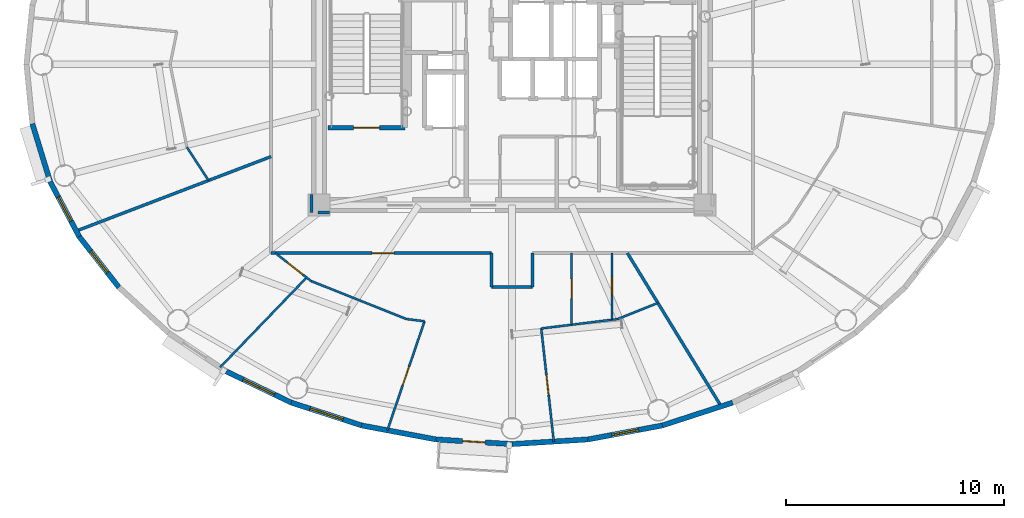
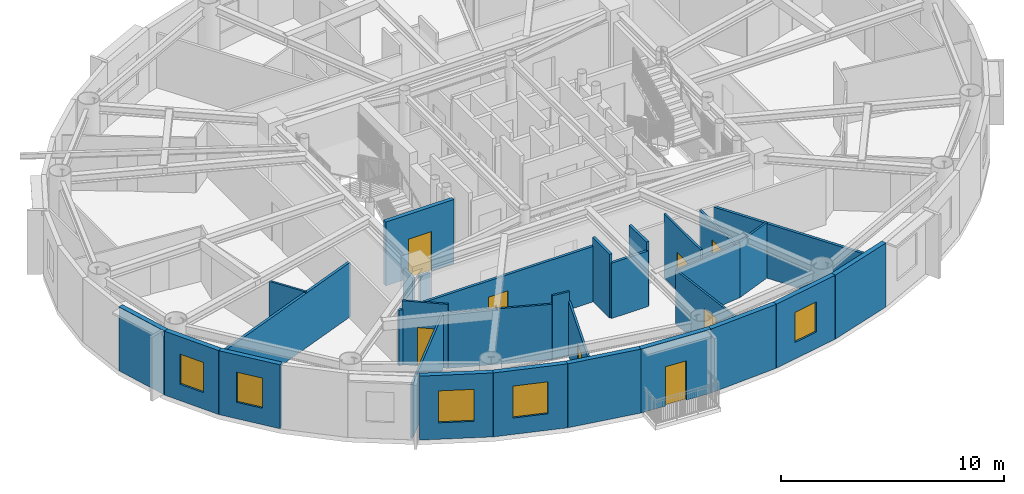
# One storey, part 7 of 20: 30 walls, 8 doors, 5 windows, 13 openings.
"""IFC4 building model written with IfcOpenShell, lengths in metres."""

from ifc_helpers import new_model, si_unit, direction, frame, frame_2d, origin, origin_2d, place, context, subcontext, project, spatial, rectangle, extrude, source, transform, mapped, material, layer, layer_set, type_object, element, fill, save


model = new_model("IFC4")

# Units and contexts
model_context = context("Model", 3, precision=1e-05, world=origin(), true_north=direction((0.0, 1.0)))
body_context = subcontext(model_context, "Body", "Model", "MODEL_VIEW")
ifc_project = project(units=[si_unit("LENGTHUNIT", "METRE"), si_unit("AREAUNIT", "SQUARE_METRE"), si_unit("VOLUMEUNIT", "CUBIC_METRE"), si_unit("PLANEANGLEUNIT", "RADIAN"), si_unit("MASSUNIT", "GRAM", prefix="KILO")], contexts=[model_context])

# Site, building, storey
site_placement = place(None, origin())
site = spatial("IfcSite", under=ifc_project, at=site_placement, CompositionType="ELEMENT")
building_placement = place(site_placement, origin())
building = spatial("IfcBuilding", under=site, at=building_placement, Name="Linh Dai School and Residence Tower", CompositionType="ELEMENT")
storey_placement = place(building_placement, frame((0.0, 0.0, 288.0)))
storey = spatial("IfcBuildingStorey", under=building, at=storey_placement, Name="L71", CompositionType="ELEMENT", Elevation=288.0)

# Wall
ifc_material_1 = material(Name="Precast Concrete B45 (C35/45)", Category="concrete")
ifc_layer_1 = layer(ifc_material_1, 0.239990234375)
ifc_layer_set_1 = layer_set([ifc_layer_1], Name="Precast Concrete B45 (C35/45)")
wall_type_1 = type_object("IfcWallType", Name="EW-TC-240", PredefinedType="SOLIDWALL", material=ifc_layer_set_1)
wall_1_placement = place(storey_placement, frame((14.811767578125, 21.627685546875, 0.0), z_axis=(0.0, 0.0, 1.0), x_axis=(-0.2931213403, 0.956075248012, 0.0)))
element("IfcWall", 1, at=wall_1_placement, inside=storey, type_object=wall_type_1, Name="L71 Terracotta Exterior Wall 22", PredefinedType="SOLIDWALL", context=body_context, shape_type="SweptSolid", body=[
    extrude(rectangle(XDim=2.775146484375, YDim=0.239990234375, at=frame_2d((1.3876953125, 0.0))), origin(), (0.0, 0.0, 1.0), 3.5),
])

# Wall, opening, window
wall_2_placement = place(storey_placement, frame((16.146240234375, 19.105224609375, 0.0), z_axis=(0.0, 0.0, 1.0), x_axis=(-0.467628269026, 0.883925224218, 0.0)))
wall_2 = element("IfcWall", 2, at=wall_2_placement, inside=storey, type_object=wall_type_1, Name="L71 Terracotta Exterior Wall 23", PredefinedType="SOLIDWALL", context=body_context, shape_type="SweptSolid", body=[
    extrude(rectangle(XDim=2.853759765625, YDim=0.239990234375, at=frame_2d((1.4267578125, 0.0))), origin(), (0.0, 0.0, 1.0), 3.5),
])
opening_1_placement = place(wall_2_placement, frame((0.802001953125, 0.0, 0.89990234375)))
opening_1 = element("IfcOpeningElement", 3, at=opening_1_placement, cuts=wall_2, Name="Opening W3", PredefinedType="OPENING", context=body_context, shape_type="SweptSolid", body=[
    extrude(rectangle(XDim=1.25, YDim=1.64990234375, at=origin_2d()), frame((0.625, 0.1298828125, 0.824951171875), z_axis=(0.0, -1.0, 0.0), x_axis=(1.0, 0.0, 0.0)), (0.0, 0.0, 1.0), 0.260009765625),
])
ifc_material_2 = material(Name="Double Low-E Insulated Glazing", Category="glass")
window_type_1 = type_object("IfcWindowType", Name="WN-RES-1250x1650", PartitioningType="SINGLE_PANEL", PredefinedType="WINDOW", material=ifc_material_2)
shared_shape_1 = source(origin(), body_context, "Body", "SweptSolid", [
    extrude(rectangle(XDim=1.25, YDim=1.64990234375, at=origin_2d()), frame((0.625, 0.030029296875, 0.824951171875), z_axis=(0.0, -1.0, 0.0), x_axis=(1.0, 0.0, 0.0)), (0.0, 0.0, 1.0), 0.06005859375),
])
window_1_placement = place(opening_1_placement, origin())
window_1 = element("IfcWindow", 4, at=window_1_placement, inside=storey, type_object=window_type_1, Name="L71 Dwelling Window U7102-BD2", OverallHeight=1.64990234375, OverallWidth=1.25, PartitioningType="SINGLE_PANEL", PredefinedType="WINDOW", context=body_context, shape_type="MappedRepresentation", body=[
    mapped(shared_shape_1, transform((0.0, 0.0, 0.0), x_axis=(1.0, 0.0, 0.0), y_axis=(0.0, 1.0, 0.0), z_axis=(0.0, 0.0, 1.0), scale=1.0)),
])
fill(opening_1, window_1)

wall_3_placement = place(storey_placement, frame((17.9697265625, 16.775390625, 0.0), z_axis=(0.0, 0.0, 1.0), x_axis=(-0.616337186556, 0.787482363275, 0.0)))
wall_3 = element("IfcWall", 5, at=wall_3_placement, inside=storey, type_object=wall_type_1, Name="L71 Terracotta Exterior Wall 24", PredefinedType="SOLIDWALL", context=body_context, shape_type="SweptSolid", body=[
    extrude(rectangle(XDim=2.95849609375, YDim=0.239990234375, at=frame_2d((1.479248046875, 0.0))), origin(), (0.0, 0.0, 1.0), 3.5),
])
opening_2_placement = place(wall_3_placement, frame((0.85400390625, 0.0, 0.89990234375)))
opening_2 = element("IfcOpeningElement", 6, at=opening_2_placement, cuts=wall_3, Name="Opening W3", PredefinedType="OPENING", context=body_context, shape_type="SweptSolid", body=[
    extrude(rectangle(XDim=1.25, YDim=1.64990234375, at=origin_2d()), frame((0.625, 0.1298828125, 0.824951171875), z_axis=(0.0, -1.0, 0.0), x_axis=(1.0, 0.0, 0.0)), (0.0, 0.0, 1.0), 0.260009765625),
])
window_2_placement = place(opening_2_placement, origin())
window_2 = element("IfcWindow", 7, at=window_2_placement, inside=storey, type_object=window_type_1, Name="L71 Exterior Window 24.1", OverallHeight=1.64990234375, OverallWidth=1.25, PartitioningType="SINGLE_PANEL", PredefinedType="WINDOW", context=body_context, shape_type="MappedRepresentation", body=[
    mapped(shared_shape_1, transform((0.0, 0.0, 0.0), x_axis=(1.0, 0.0, 0.0), y_axis=(0.0, 1.0, 0.0), z_axis=(0.0, 0.0, 1.0), scale=1.0)),
])
fill(opening_2, window_2)

wall_4_placement = place(storey_placement, frame((25.876953125, 11.48779296875, 0.0), z_axis=(0.0, 0.0, 1.0), x_axis=(-0.901573741254, 0.43262546051, 0.0)))
wall_4 = element("IfcWall", 8, at=wall_4_placement, inside=storey, type_object=wall_type_1, Name="L71 Terracotta Exterior Wall 27", PredefinedType="SOLIDWALL", context=body_context, shape_type="SweptSolid", body=[
    extrude(rectangle(XDim=3.306884765625, YDim=0.239990234375, at=frame_2d((1.6533203125, 0.0))), origin(), (0.0, 0.0, 1.0), 3.5),
])
opening_3_placement = place(wall_4_placement, frame((0.853271484375, 0.0, 0.89990234375)))
opening_3 = element("IfcOpeningElement", 9, at=opening_3_placement, cuts=wall_4, Name="Opening W2", PredefinedType="OPENING", context=body_context, shape_type="SweptSolid", body=[
    extrude(rectangle(XDim=1.60009765625, YDim=1.75, at=origin_2d()), frame((0.800048828125, 0.1298828125, 0.875), z_axis=(0.0, -1.0, 0.0), x_axis=(1.0, 0.0, 0.0)), (0.0, 0.0, 1.0), 0.260009765625),
])
window_type_2 = type_object("IfcWindowType", Name="WN-RES-1600x1750", PartitioningType="DOUBLE_PANEL_VERTICAL", PredefinedType="WINDOW", material=ifc_material_2)
shared_shape_2 = source(origin(), body_context, "Body", "SweptSolid", [
    extrude(rectangle(XDim=1.60009765625, YDim=1.75, at=origin_2d()), frame((0.800048828125, 0.030029296875, 0.875), z_axis=(0.0, -1.0, 0.0), x_axis=(1.0, 0.0, 0.0)), (0.0, 0.0, 1.0), 0.06005859375),
])
window_3_placement = place(opening_3_placement, origin())
window_3 = element("IfcWindow", 10, at=window_3_placement, inside=storey, type_object=window_type_2, Name="L71 Exterior Window 27.1", OverallHeight=1.75, OverallWidth=1.60009765625, PartitioningType="DOUBLE_PANEL_VERTICAL", PredefinedType="WINDOW", context=body_context, shape_type="MappedRepresentation", body=[
    mapped(shared_shape_2, transform((0.0, 0.0, 0.0), x_axis=(1.0, 0.0, 0.0), y_axis=(0.0, 1.0, 0.0), z_axis=(0.0, 0.0, 1.0), scale=1.0)),
])
fill(opening_3, window_3)

wall_5_placement = place(storey_placement, frame((29.10888671875, 10.439697265625, 0.0), z_axis=(0.0, 0.0, 1.0), x_axis=(-0.95123136723, 0.308478339592, 0.0)))
wall_5 = element("IfcWall", 11, at=wall_5_placement, inside=storey, type_object=wall_type_1, Name="L71 Terracotta Exterior Wall 28", PredefinedType="SOLIDWALL", context=body_context, shape_type="SweptSolid", body=[
    extrude(rectangle(XDim=3.397705078125, YDim=0.239990234375, at=frame_2d((1.69873046875, 0.0))), origin(), (0.0, 0.0, 1.0), 3.5),
])
opening_4_placement = place(wall_5_placement, frame((0.898681640625, 0.0, 0.89990234375)))
opening_4 = element("IfcOpeningElement", 12, at=opening_4_placement, cuts=wall_5, Name="Opening W2", PredefinedType="OPENING", context=body_context, shape_type="SweptSolid", body=[
    extrude(rectangle(XDim=1.60009765625, YDim=1.75, at=origin_2d()), frame((0.800048828125, 0.1298828125, 0.875), z_axis=(0.0, -1.0, 0.0), x_axis=(1.0, 0.0, 0.0)), (0.0, 0.0, 1.0), 0.260009765625),
])
window_4_placement = place(opening_4_placement, origin())
window_4 = element("IfcWindow", 13, at=window_4_placement, inside=storey, type_object=window_type_2, Name="L71 Exterior Window 28.1", OverallHeight=1.75, OverallWidth=1.60009765625, PartitioningType="DOUBLE_PANEL_VERTICAL", PredefinedType="WINDOW", context=body_context, shape_type="MappedRepresentation", body=[
    mapped(shared_shape_2, transform((0.0, 0.0, 0.0), x_axis=(1.0, 0.0, 0.0), y_axis=(0.0, 1.0, 0.0), z_axis=(0.0, 0.0, 1.0), scale=1.0)),
])
fill(opening_4, window_4)

# Wall
wall_6_placement = place(storey_placement, frame((32.51123046875, 9.800048828125, 0.0), z_axis=(0.0, 0.0, 1.0), x_axis=(-0.982782655757, 0.184765395959, 0.0)))
element("IfcWall", 14, at=wall_6_placement, inside=storey, type_object=wall_type_1, Name="L71 Terracotta Exterior Wall 29", PredefinedType="SOLIDWALL", context=body_context, shape_type="SweptSolid", body=[
    extrude(rectangle(XDim=3.4619140625, YDim=0.239990234375, at=frame_2d((1.73095703125, 0.0))), origin(), (0.0, 0.0, 1.0), 3.5),
])

# Wall, opening, door
wall_7_placement = place(storey_placement, frame((36.0, 9.5849609375, 0.0), z_axis=(0.0, 0.0, 1.0), x_axis=(-0.998104946479, 0.061534671648, 0.0)))
wall_7 = element("IfcWall", 15, at=wall_7_placement, inside=storey, type_object=wall_type_1, Name="L71 Terracotta Exterior Wall 30", PredefinedType="SOLIDWALL", context=body_context, shape_type="SweptSolid", body=[
    extrude(rectangle(XDim=3.495361328125, YDim=0.239990234375, at=frame_2d((1.74755859375, 0.0))), origin(), (0.0, 0.0, 1.0), 3.5),
])
opening_5_placement = place(wall_7_placement, frame((1.22265625, 0.0, 0.0)))
opening_5 = element("IfcOpeningElement", 16, at=opening_5_placement, cuts=wall_7, Name="Opening BD1", PredefinedType="OPENING", context=body_context, shape_type="SweptSolid", body=[
    extrude(rectangle(XDim=1.050048828125, YDim=2.14990234375, at=origin_2d()), frame((0.52490234375, 0.1298828125, 1.074951171875), z_axis=(0.0, -1.0, 0.0), x_axis=(1.0, 0.0, 0.0)), (0.0, 0.0, 1.0), 0.260009765625),
])
ifc_material_3 = material(Name="Double-Glazed Balcony Door", Category="glass")
door_type_1 = type_object("IfcDoorType", Name="DR-BALC-1050x2150", OperationType="NOTDEFINED", PredefinedType="DOOR", material=ifc_material_3)
shared_shape_3 = source(origin(), body_context, "Body", "SweptSolid", [
    extrude(rectangle(XDim=1.050048828125, YDim=2.14990234375, at=origin_2d()), frame((0.52490234375, 0.02490234375, 1.074951171875), z_axis=(0.0, -1.0, 0.0), x_axis=(1.0, 0.0, 0.0)), (0.0, 0.0, 1.0), 0.050048828125),
])
door_1_placement = place(opening_5_placement, origin())
door_1 = element("IfcDoor", 17, at=door_1_placement, inside=storey, type_object=door_type_1, Name="L71 Glazed Balcony Door 30", OperationType="SINGLE_SWING_RIGHT", OverallHeight=2.14990234375, OverallWidth=1.050048828125, PredefinedType="DOOR", context=body_context, shape_type="MappedRepresentation", body=[
    mapped(shared_shape_3, transform((0.0, 0.0, 0.0), x_axis=(1.0, 0.0, 0.0), y_axis=(0.0, 1.0, 0.0), z_axis=(0.0, 0.0, 1.0), scale=1.0)),
])
fill(opening_5, door_1)

# Wall
wall_8_placement = place(storey_placement, frame((39.48876953125, 9.800048828125, 0.0), z_axis=(0.0, 0.0, 1.0), x_axis=(-0.998104946479, -0.061534671648, 0.0)))
element("IfcWall", 18, at=wall_8_placement, inside=storey, type_object=wall_type_1, Name="L71 Terracotta Exterior Wall 31", PredefinedType="SOLIDWALL", context=body_context, shape_type="SweptSolid", body=[
    extrude(rectangle(XDim=3.495361328125, YDim=0.239990234375, at=frame_2d((1.74755859375, 0.0))), origin(), (0.0, 0.0, 1.0), 3.5),
])

# Wall, opening, window
wall_9_placement = place(storey_placement, frame((42.89111328125, 10.439697265625, 0.0), z_axis=(0.0, 0.0, 1.0), x_axis=(-0.982782655757, -0.184765395959, 0.0)))
wall_9 = element("IfcWall", 19, at=wall_9_placement, inside=storey, type_object=wall_type_1, Name="L71 Terracotta Exterior Wall 32", PredefinedType="SOLIDWALL", context=body_context, shape_type="SweptSolid", body=[
    extrude(rectangle(XDim=3.4619140625, YDim=0.239990234375, at=frame_2d((1.73095703125, 0.0))), origin(), (0.0, 0.0, 1.0), 3.5),
])
opening_6_placement = place(wall_9_placement, frame((1.10595703125, 0.0, 0.89990234375)))
opening_6 = element("IfcOpeningElement", 20, at=opening_6_placement, cuts=wall_9, Name="Opening W3", PredefinedType="OPENING", context=body_context, shape_type="SweptSolid", body=[
    extrude(rectangle(XDim=1.25, YDim=1.64990234375, at=origin_2d()), frame((0.625, 0.1298828125, 0.824951171875), z_axis=(0.0, -1.0, 0.0), x_axis=(1.0, 0.0, 0.0)), (0.0, 0.0, 1.0), 0.260009765625),
])
window_5_placement = place(opening_6_placement, origin())
window_5 = element("IfcWindow", 21, at=window_5_placement, inside=storey, type_object=window_type_1, Name="L71 Dwelling Window U7103-BD3", OverallHeight=1.64990234375, OverallWidth=1.25, PartitioningType="SINGLE_PANEL", PredefinedType="WINDOW", context=body_context, shape_type="MappedRepresentation", body=[
    mapped(shared_shape_1, transform((0.0, 0.0, 0.0), x_axis=(1.0, 0.0, 0.0), y_axis=(0.0, 1.0, 0.0), z_axis=(0.0, 0.0, 1.0), scale=1.0)),
])
fill(opening_6, window_5)

# Walls
wall_10_placement = place(storey_placement, frame((46.123046875, 11.48779296875, 0.0), z_axis=(0.0, 0.0, 1.0), x_axis=(-0.95123136723, -0.308478339592, 0.0)))
element("IfcWall", 22, at=wall_10_placement, inside=storey, type_object=wall_type_1, Name="L71 Terracotta Exterior Wall 33", PredefinedType="SOLIDWALL", context=body_context, shape_type="SweptSolid", body=[
    extrude(rectangle(XDim=3.397705078125, YDim=0.239990234375, at=frame_2d((1.69873046875, 0.0))), origin(), (0.0, 0.0, 1.0), 3.5),
])
ifc_material_4 = material(Name="Autoclaved Aerated Concrete Blockwork", Category="masonry")
ifc_layer_2 = layer(ifc_material_4, 0.135009765625)
ifc_layer_set_2 = layer_set([ifc_layer_2], Name="Autoclaved Aerated Concrete Blockwork")
wall_type_2 = type_object("IfcWallType", Name="IW-CORR-135-EI90", PredefinedType="PARTITIONING", material=ifc_layer_set_2)
wall_11_placement = place(storey_placement, frame((16.0068359375, 19.35791015625, 0.0), z_axis=(0.0, 0.0, 1.0), x_axis=(0.934094110355, 0.35702687994, 0.0)))
element("IfcWall", 23, at=wall_11_placement, inside=storey, type_object=wall_type_2, Name="L71 Interior Partition Wall 003", PredefinedType="PARTITIONING", context=body_context, shape_type="SweptSolid", body=[
    extrude(rectangle(XDim=9.57421875, YDim=0.135009765625, at=frame_2d((4.787109375, 0.0))), origin(), (0.0, 0.0, 1.0), 2.985107421875),
])

# Wall, opening, door
wall_12_placement = place(storey_placement, frame((24.949951171875, 18.35009765625, 0.0), z_axis=(0.0, 0.0, 1.0), x_axis=(1.0, 0.0, 0.0)))
wall_12 = element("IfcWall", 24, at=wall_12_placement, inside=storey, type_object=wall_type_2, Name="L71 Interior Partition Wall 012", PredefinedType="PARTITIONING", context=body_context, shape_type="SweptSolid", body=[
    extrude(rectangle(XDim=10.10009765625, YDim=0.135009765625, at=frame_2d((5.050048828125, 0.0))), origin(), (0.0, 0.0, 1.0), 3.034912109375),
])
opening_7_placement = place(wall_12_placement, frame((4.62744140625, 0.0, 0.0)))
opening_7 = element("IfcOpeningElement", 25, at=opening_7_placement, cuts=wall_12, Name="Opening D03", PredefinedType="OPENING", context=body_context, shape_type="SweptSolid", body=[
    extrude(rectangle(XDim=1.0, YDim=2.14990234375, at=origin_2d()), frame((0.5, 0.07763671875, 1.074951171875), z_axis=(0.0, -1.0, 0.0), x_axis=(1.0, 0.0, 0.0)), (0.0, 0.0, 1.0), 0.155029296875),
])
ifc_material_5 = material(Name="Fire-Rated Solid Timber Entrance Door", Category="wood")
door_type_2 = type_object("IfcDoorType", Name="DR-FLAT-1000x2150-FD60S", OperationType="NOTDEFINED", PredefinedType="DOOR", material=ifc_material_5)
shared_shape_4 = source(origin(), body_context, "Body", "SweptSolid", [
    extrude(rectangle(XDim=1.0, YDim=2.14990234375, at=origin_2d()), frame((0.5, 0.02490234375, 1.074951171875), z_axis=(0.0, -1.0, 0.0), x_axis=(1.0, 0.0, 0.0)), (0.0, 0.0, 1.0), 0.050048828125),
])
door_2_placement = place(opening_7_placement, origin())
door_2 = element("IfcDoor", 26, at=door_2_placement, inside=storey, type_object=door_type_2, Name="L71 U7103 Apartment Entrance Door", OperationType="SINGLE_SWING_LEFT", OverallHeight=2.14990234375, OverallWidth=1.0, PredefinedType="DOOR", context=body_context, shape_type="MappedRepresentation", body=[
    mapped(shared_shape_4, transform((0.0, 0.0, 0.0), x_axis=(1.0, 0.0, 0.0), y_axis=(0.0, 1.0, 0.0), z_axis=(0.0, 0.0, 1.0), scale=1.0)),
])
fill(opening_7, door_2)

# Walls
wall_13_placement = place(storey_placement, frame((35.050048828125, 16.800048828125, 0.0), z_axis=(0.0, 0.0, 1.0), x_axis=(0.0, 1.0, 0.0)))
element("IfcWall", 27, at=wall_13_placement, inside=storey, type_object=wall_type_2, Name="L71 Interior Partition Wall 033", PredefinedType="PARTITIONING", context=body_context, shape_type="SweptSolid", body=[
    extrude(rectangle(XDim=1.550048828125, YDim=0.135009765625, at=frame_2d((0.77490234375, 0.0))), origin(), (0.0, 0.0, 1.0), 3.5),
])
wall_14_placement = place(storey_placement, frame((35.050048828125, 16.800048828125, 0.0), z_axis=(0.0, 0.0, 1.0), x_axis=(1.0, 0.0, 0.0)))
element("IfcWall", 28, at=wall_14_placement, inside=storey, type_object=wall_type_2, Name="L71 Interior Partition Wall 034", PredefinedType="PARTITIONING", context=body_context, shape_type="SweptSolid", body=[
    extrude(rectangle(XDim=1.89990234375, YDim=0.135009765625, at=frame_2d((0.949951171875, 0.0))), origin(), (0.0, 0.0, 1.0), 3.034912109375),
])
wall_15_placement = place(storey_placement, frame((36.949951171875, 16.800048828125, 0.0), z_axis=(0.0, 0.0, 1.0), x_axis=(0.0, 1.0, 0.0)))
element("IfcWall", 29, at=wall_15_placement, inside=storey, type_object=wall_type_2, Name="L71 Interior Partition Wall 050", PredefinedType="PARTITIONING", context=body_context, shape_type="SweptSolid", body=[
    extrude(rectangle(XDim=1.550048828125, YDim=0.135009765625, at=frame_2d((0.77490234375, 0.0))), origin(), (0.0, 0.0, 1.0), 3.5),
])
wall_16_placement = place(storey_placement, frame((41.292236328125, 18.35009765625, 0.0), z_axis=(0.0, 0.0, 1.0), x_axis=(0.521891606098, -0.853011812043, 0.0)))
element("IfcWall", 30, at=wall_16_placement, inside=storey, type_object=wall_type_2, Name="L71 Interior Partition Wall 073", PredefinedType="PARTITIONING", context=body_context, shape_type="SweptSolid", body=[
    extrude(rectangle(XDim=8.25048828125, YDim=0.135009765625, at=frame_2d((4.125244140625, 0.0))), origin(), (0.0, 0.0, 1.0), 2.985107421875),
])
wall_17_placement = place(storey_placement, frame((26.800048828125, 21.0400390625, 0.0), z_axis=(0.0, 0.0, 1.0), x_axis=(0.0, -1.0, 0.0)))
element("IfcWall", 31, at=wall_17_placement, inside=storey, type_object=wall_type_2, Name="L71 Interior Partition Wall 092", PredefinedType="PARTITIONING", context=body_context, shape_type="SweptSolid", body=[
    extrude(rectangle(XDim=0.840087890625, YDim=0.135009765625, at=frame_2d((0.419921875, 0.0))), origin(), (0.0, 0.0, 1.0), 3.034912109375),
])
wall_18_placement = place(storey_placement, frame((27.107421875, 20.199951171875, 0.0), z_axis=(0.0, 0.0, 1.0), x_axis=(1.0, 0.0, 0.0)))
element("IfcWall", 32, at=wall_18_placement, inside=storey, type_object=wall_type_2, Name="L71 Interior Partition Wall 093", PredefinedType="PARTITIONING", context=body_context, shape_type="SweptSolid", body=[
    extrude(rectangle(XDim=0.532470703125, YDim=0.135009765625, at=frame_2d((0.26611328125, 0.0))), origin(), (0.0, 0.0, 1.0), 3.034912109375),
])

# Wall, opening, door
ifc_material_6 = material(Name="Concrete B45 (C35/45)", Category="concrete")
ifc_layer_3 = layer(ifc_material_6, 0.199951171875)
ifc_layer_set_3 = layer_set([ifc_layer_3], Name="Concrete B45 (C35/45)")
wall_type_3 = type_object("IfcWallType", Name="IW-SHAFT-200-EI120", PredefinedType="PARTITIONING", material=ifc_layer_set_3)
wall_19_placement = place(storey_placement, frame((27.56005859375, 24.10009765625, 0.0), z_axis=(0.0, 0.0, 1.0), x_axis=(1.0, 0.0, 0.0)))
wall_19 = element("IfcWall", 33, at=wall_19_placement, inside=storey, type_object=wall_type_3, Name="L71 Interior Partition Wall 017", PredefinedType="PARTITIONING", context=body_context, shape_type="SweptSolid", body=[
    extrude(rectangle(XDim=3.5400390625, YDim=0.199951171875, at=frame_2d((1.77001953125, 0.0))), origin(), (0.0, 0.0, 1.0), 3.5),
])
opening_8_placement = place(wall_19_placement, frame((1.169921875, 0.0, 0.0)))
opening_8 = element("IfcOpeningElement", 34, at=opening_8_placement, cuts=wall_19, Name="Opening D01", PredefinedType="OPENING", context=body_context, shape_type="SweptSolid", body=[
    extrude(rectangle(XDim=1.199951171875, YDim=2.14990234375, at=origin_2d()), frame((0.60009765625, 0.10986328125, 1.074951171875), z_axis=(0.0, -1.0, 0.0), x_axis=(1.0, 0.0, 0.0)), (0.0, 0.0, 1.0), 0.219970703125),
])
ifc_material_7 = material(Name="Fire-Rated Steel Door Leaf", Category="steel")
door_type_3 = type_object("IfcDoorType", Name="DR-STAIR-1200x2150-FD90S", OperationType="NOTDEFINED", PredefinedType="DOOR", material=ifc_material_7)
shared_shape_5 = source(origin(), body_context, "Body", "SweptSolid", [
    extrude(rectangle(XDim=1.199951171875, YDim=2.14990234375, at=origin_2d()), frame((0.60009765625, 0.02490234375, 1.074951171875), z_axis=(0.0, -1.0, 0.0), x_axis=(1.0, 0.0, 0.0)), (0.0, 0.0, 1.0), 0.050048828125),
])
door_3_placement = place(opening_8_placement, origin())
door_3 = element("IfcDoor", 35, at=door_3_placement, inside=storey, type_object=door_type_3, Name="L71 Core Smokeproof Exit Stair ST1 Door", OperationType="SINGLE_SWING_LEFT", OverallHeight=2.14990234375, OverallWidth=1.199951171875, PredefinedType="DOOR", context=body_context, shape_type="MappedRepresentation", body=[
    mapped(shared_shape_5, transform((0.0, 0.0, 0.0), x_axis=(1.0, 0.0, 0.0), y_axis=(0.0, 1.0, 0.0), z_axis=(0.0, 0.0, 1.0), scale=1.0)),
])
fill(opening_8, door_3)

# Walls
ifc_material_8 = material(Name="Gypsum Plasterboard Acoustic Stud Partition", Category="masonry")
ifc_layer_4 = layer(ifc_material_8, 0.10009765625)
ifc_layer_set_4 = layer_set([ifc_layer_4], Name="Gypsum Plasterboard Acoustic Stud Partition")
wall_type_4 = type_object("IfcWallType", Name="IW-UNIT-100", PredefinedType="PARTITIONING", material=ifc_layer_set_4)
wall_20_placement = place(storey_placement, frame((21.08740234375, 23.205810546875, 0.0), z_axis=(0.0, 0.0, 1.0), x_axis=(0.545384128846, -0.838186227519, 0.0)))
element("IfcWall", 36, at=wall_20_placement, inside=storey, type_object=wall_type_4, Name="L71 Interior Partition Wall 008", PredefinedType="PARTITIONING", context=body_context, shape_type="SweptSolid", body=[
    extrude(rectangle(XDim=1.821044921875, YDim=0.10009765625, at=frame_2d((0.91064453125, 0.0))), origin(), (0.0, 0.0, 1.0), 3.034912109375),
])
wall_21_placement = place(storey_placement, frame((22.607177734375, 13.105224609375, 0.0), z_axis=(0.0, 0.0, 1.0), x_axis=(0.693978480191, 0.71999574237, 0.0)))
element("IfcWall", 37, at=wall_21_placement, inside=storey, type_object=wall_type_4, Name="L71 Interior Partition Wall 009", PredefinedType="PARTITIONING", context=body_context, shape_type="SweptSolid", body=[
    extrude(rectangle(XDim=5.72412109375, YDim=0.10009765625, at=frame_2d((2.862060546875, 0.0))), origin(), (0.0, 0.0, 1.0), 2.985107421875),
])

# Wall, opening, door
wall_22_placement = place(storey_placement, frame((25.144775390625, 18.35009765625, 0.0), z_axis=(0.0, 0.0, 1.0), x_axis=(0.787326747019, -0.616535962803, 0.0)))
wall_22 = element("IfcWall", 38, at=wall_22_placement, inside=storey, type_object=wall_type_4, Name="L71 Interior Partition Wall 014", PredefinedType="PARTITIONING", context=body_context, shape_type="SweptSolid", body=[
    extrude(rectangle(XDim=2.081298828125, YDim=0.10009765625, at=frame_2d((1.04052734375, 0.0))), origin(), (0.0, 0.0, 1.0), 3.5),
])
opening_9_placement = place(wall_22_placement, frame((0.69775390625, 0.0, 0.0)))
opening_9 = element("IfcOpeningElement", 39, at=opening_9_placement, cuts=wall_22, Name="Opening D05", PredefinedType="OPENING", context=body_context, shape_type="SweptSolid", body=[
    extrude(rectangle(XDim=0.89990234375, YDim=2.10009765625, at=origin_2d()), frame((0.449951171875, 0.06005859375, 1.050048828125), z_axis=(0.0, -1.0, 0.0), x_axis=(1.0, 0.0, 0.0)), (0.0, 0.0, 1.0), 0.1201171875),
])
ifc_material_9 = material(Name="Engineered Timber Internal Door", Category="wood")
door_type_4 = type_object("IfcDoorType", Name="DR-INT-900x2100", OperationType="NOTDEFINED", PredefinedType="DOOR", material=ifc_material_9)
shared_shape_6 = source(origin(), body_context, "Body", "SweptSolid", [
    extrude(rectangle(XDim=0.89990234375, YDim=2.10009765625, at=origin_2d()), frame((0.449951171875, 0.02490234375, 1.050048828125), z_axis=(0.0, -1.0, 0.0), x_axis=(1.0, 0.0, 0.0)), (0.0, 0.0, 1.0), 0.050048828125),
])
door_4_placement = place(opening_9_placement, origin())
door_4 = element("IfcDoor", 40, at=door_4_placement, inside=storey, type_object=door_type_4, Name="L71 Apartment U7103 Principal Bedroom 1 Door", OperationType="SINGLE_SWING_RIGHT", OverallHeight=2.10009765625, OverallWidth=0.89990234375, PredefinedType="DOOR", context=body_context, shape_type="MappedRepresentation", body=[
    mapped(shared_shape_6, transform((0.0, 0.0, 0.0), x_axis=(1.0, 0.0, 0.0), y_axis=(0.0, 1.0, 0.0), z_axis=(0.0, 0.0, 1.0), scale=1.0)),
])
fill(opening_9, door_4)

# Wall
wall_23_placement = place(storey_placement, frame((26.783447265625, 17.06689453125, 0.0), z_axis=(0.0, 0.0, 1.0), x_axis=(0.928809047774, -0.370558703544, 0.0)))
element("IfcWall", 41, at=wall_23_placement, inside=storey, type_object=wall_type_4, Name="L71 Interior Partition Wall 016", PredefinedType="PARTITIONING", context=body_context, shape_type="SweptSolid", body=[
    extrude(rectangle(XDim=4.7060546875, YDim=0.10009765625, at=frame_2d((2.35302734375, 0.0))), origin(), (0.0, 0.0, 1.0), 3.034912109375),
])

# Wall, opening, door
wall_24_placement = place(storey_placement, frame((30.281982421875, 10.2138671875, 0.0), z_axis=(0.0, 0.0, 1.0), x_axis=(0.322425759237, 0.946594754782, 0.0)))
wall_24 = element("IfcWall", 42, at=wall_24_placement, inside=storey, type_object=wall_type_4, Name="L71 Interior Partition Wall 019", PredefinedType="PARTITIONING", context=body_context, shape_type="SweptSolid", body=[
    extrude(rectangle(XDim=5.288330078125, YDim=0.10009765625, at=frame_2d((2.64404296875, 0.0))), origin(), (0.0, 0.0, 1.0), 2.985107421875),
])
opening_10_placement = place(wall_24_placement, frame((2.194091796875, 0.0, 0.0)))
opening_10 = element("IfcOpeningElement", 43, at=opening_10_placement, cuts=wall_24, Name="Opening D05", PredefinedType="OPENING", context=body_context, shape_type="SweptSolid", body=[
    extrude(rectangle(XDim=0.89990234375, YDim=2.10009765625, at=origin_2d()), frame((0.449951171875, 0.06005859375, 1.050048828125), z_axis=(0.0, -1.0, 0.0), x_axis=(1.0, 0.0, 0.0)), (0.0, 0.0, 1.0), 0.1201171875),
])
door_5_placement = place(opening_10_placement, origin())
door_5 = element("IfcDoor", 44, at=door_5_placement, inside=storey, type_object=door_type_4, Name="L71 Apartment U7103 Bedroom 2 Door", OperationType="SINGLE_SWING_LEFT", OverallHeight=2.10009765625, OverallWidth=0.89990234375, PredefinedType="DOOR", context=body_context, shape_type="MappedRepresentation", body=[
    mapped(shared_shape_6, transform((0.0, 0.0, 0.0), x_axis=(1.0, 0.0, 0.0), y_axis=(0.0, 1.0, 0.0), z_axis=(0.0, 0.0, 1.0), scale=1.0)),
])
fill(opening_10, door_5)

# Wall
wall_25_placement = place(storey_placement, frame((31.154541015625, 15.322998046875, 0.0), z_axis=(0.0, 0.0, 1.0), x_axis=(0.992393849535, -0.123103401277, 0.0)))
element("IfcWall", 45, at=wall_25_placement, inside=storey, type_object=wall_type_4, Name="L71 Interior Partition Wall 023", PredefinedType="PARTITIONING", context=body_context, shape_type="SweptSolid", body=[
    extrude(rectangle(XDim=0.8388671875, YDim=0.10009765625, at=frame_2d((0.41943359375, 0.0))), origin(), (0.0, 0.0, 1.0), 3.5),
])

# Wall, opening, door
wall_26_placement = place(storey_placement, frame((37.34228515625, 14.888427734375, 0.0), z_axis=(0.0, 0.0, 1.0), x_axis=(0.110149295127, -0.993915053102, 0.0)))
wall_26 = element("IfcWall", 46, at=wall_26_placement, inside=storey, type_object=wall_type_4, Name="L71 Interior Partition Wall 055", PredefinedType="PARTITIONING", context=body_context, shape_type="SweptSolid", body=[
    extrude(rectangle(XDim=5.221923828125, YDim=0.10009765625, at=frame_2d((2.61083984375, 0.0))), origin(), (0.0, 0.0, 1.0), 2.985107421875),
])
opening_11_placement = place(wall_26_placement, frame((2.160888671875, 0.0, 0.0)))
opening_11 = element("IfcOpeningElement", 47, at=opening_11_placement, cuts=wall_26, Name="Opening D05", PredefinedType="OPENING", context=body_context, shape_type="SweptSolid", body=[
    extrude(rectangle(XDim=0.89990234375, YDim=2.10009765625, at=origin_2d()), frame((0.449951171875, 0.06005859375, 1.050048828125), z_axis=(0.0, -1.0, 0.0), x_axis=(1.0, 0.0, 0.0)), (0.0, 0.0, 1.0), 0.1201171875),
])
door_6_placement = place(opening_11_placement, origin())
door_6 = element("IfcDoor", 48, at=door_6_placement, inside=storey, type_object=door_type_4, Name="L71 Apartment U7103 Bedroom 3 Door", OperationType="SINGLE_SWING_RIGHT", OverallHeight=2.10009765625, OverallWidth=0.89990234375, PredefinedType="DOOR", context=body_context, shape_type="MappedRepresentation", body=[
    mapped(shared_shape_6, transform((0.0, 0.0, 0.0), x_axis=(1.0, 0.0, 0.0), y_axis=(0.0, 1.0, 0.0), z_axis=(0.0, 0.0, 1.0), scale=1.0)),
])
fill(opening_11, door_6)

# Wall
wall_27_placement = place(storey_placement, frame((37.34228515625, 14.888427734375, 0.0), z_axis=(0.0, 0.0, 1.0), x_axis=(0.992393420873, 0.123106856865, 0.0)))
element("IfcWall", 49, at=wall_27_placement, inside=storey, type_object=wall_type_4, Name="L71 Interior Partition Wall 056", PredefinedType="PARTITIONING", context=body_context, shape_type="SweptSolid", body=[
    extrude(rectangle(XDim=3.530029296875, YDim=0.10009765625, at=frame_2d((1.76513671875, 0.0))), origin(), (0.0, 0.0, 1.0), 2.985107421875),
])

# Wall, opening, door
wall_28_placement = place(storey_placement, frame((38.734375, 15.06103515625, 0.0), z_axis=(0.0, 0.0, 1.0), x_axis=(0.0, 1.0, 0.0)))
wall_28 = element("IfcWall", 50, at=wall_28_placement, inside=storey, type_object=wall_type_4, Name="L71 Interior Partition Wall 061", PredefinedType="PARTITIONING", context=body_context, shape_type="SweptSolid", body=[
    extrude(rectangle(XDim=3.2890625, YDim=0.10009765625, at=frame_2d((1.64453125, 0.0))), origin(), (0.0, 0.0, 1.0), 3.5),
])
opening_12_placement = place(wall_28_placement, frame((1.1943359375, 0.0, 0.0)))
opening_12 = element("IfcOpeningElement", 51, at=opening_12_placement, cuts=wall_28, Name="Opening D05", PredefinedType="OPENING", context=body_context, shape_type="SweptSolid", body=[
    extrude(rectangle(XDim=0.89990234375, YDim=2.10009765625, at=origin_2d()), frame((0.449951171875, 0.06005859375, 1.050048828125), z_axis=(0.0, -1.0, 0.0), x_axis=(1.0, 0.0, 0.0)), (0.0, 0.0, 1.0), 0.1201171875),
])
door_7_placement = place(opening_12_placement, origin())
door_7 = element("IfcDoor", 52, at=door_7_placement, inside=storey, type_object=door_type_4, Name="L71 Apartment U7103 Kitchen Door", OperationType="SINGLE_SWING_LEFT", OverallHeight=2.10009765625, OverallWidth=0.89990234375, PredefinedType="DOOR", context=body_context, shape_type="MappedRepresentation", body=[
    mapped(shared_shape_6, transform((0.0, 0.0, 0.0), x_axis=(1.0, 0.0, 0.0), y_axis=(0.0, 1.0, 0.0), z_axis=(0.0, 0.0, 1.0), scale=1.0)),
])
fill(opening_12, door_7)

wall_29_placement = place(storey_placement, frame((40.58740234375, 15.291015625, 0.0), z_axis=(0.0, 0.0, 1.0), x_axis=(0.0, 1.0, 0.0)))
wall_29 = element("IfcWall", 53, at=wall_29_placement, inside=storey, type_object=wall_type_4, Name="L71 Interior Partition Wall 066", PredefinedType="PARTITIONING", context=body_context, shape_type="SweptSolid", body=[
    extrude(rectangle(XDim=3.05908203125, YDim=0.10009765625, at=frame_2d((1.529541015625, 0.0))), origin(), (0.0, 0.0, 1.0), 3.034912109375),
])
opening_13_placement = place(wall_29_placement, frame((1.119384765625, 0.0, 0.0)))
opening_13 = element("IfcOpeningElement", 54, at=opening_13_placement, cuts=wall_29, Name="Opening D06", PredefinedType="OPENING", context=body_context, shape_type="SweptSolid", body=[
    extrude(rectangle(XDim=0.820068359375, YDim=2.10009765625, at=origin_2d()), frame((0.41015625, 0.06005859375, 1.050048828125), z_axis=(0.0, -1.0, 0.0), x_axis=(1.0, 0.0, 0.0)), (0.0, 0.0, 1.0), 0.1201171875),
])
ifc_material_10 = material(Name="Moisture-Resistant Timber Bathroom Door", Category="wood")
door_type_5 = type_object("IfcDoorType", Name="DR-WET-820x2100", OperationType="NOTDEFINED", PredefinedType="DOOR", material=ifc_material_10)
shared_shape_7 = source(origin(), body_context, "Body", "SweptSolid", [
    extrude(rectangle(XDim=0.820068359375, YDim=2.10009765625, at=origin_2d()), frame((0.41015625, 0.02490234375, 1.050048828125), z_axis=(0.0, -1.0, 0.0), x_axis=(1.0, 0.0, 0.0)), (0.0, 0.0, 1.0), 0.050048828125),
])
door_8_placement = place(opening_13_placement, origin())
door_8 = element("IfcDoor", 55, at=door_8_placement, inside=storey, type_object=door_type_5, Name="L71 Apartment U7103 Bathroom 1 Door", OperationType="SINGLE_SWING_RIGHT", OverallHeight=2.10009765625, OverallWidth=0.820068359375, PredefinedType="DOOR", context=body_context, shape_type="MappedRepresentation", body=[
    mapped(shared_shape_7, transform((0.0, 0.0, 0.0), x_axis=(1.0, 0.0, 0.0), y_axis=(0.0, 1.0, 0.0), z_axis=(0.0, 0.0, 1.0), scale=1.0)),
])
fill(opening_13, door_8)

# Wall
wall_30_placement = place(storey_placement, frame((40.845458984375, 15.322998046875, 0.0), z_axis=(0.0, 0.0, 1.0), x_axis=(0.928797929692, 0.370586569913, 0.0)))
element("IfcWall", 56, at=wall_30_placement, inside=storey, type_object=wall_type_4, Name="L71 Interior Partition Wall 069", PredefinedType="PARTITIONING", context=body_context, shape_type="SweptSolid", body=[
    extrude(rectangle(XDim=1.989501953125, YDim=0.10009765625, at=frame_2d((0.99462890625, 0.0))), origin(), (0.0, 0.0, 1.0), 3.034912109375),
])

save(model, "model.ifc")
